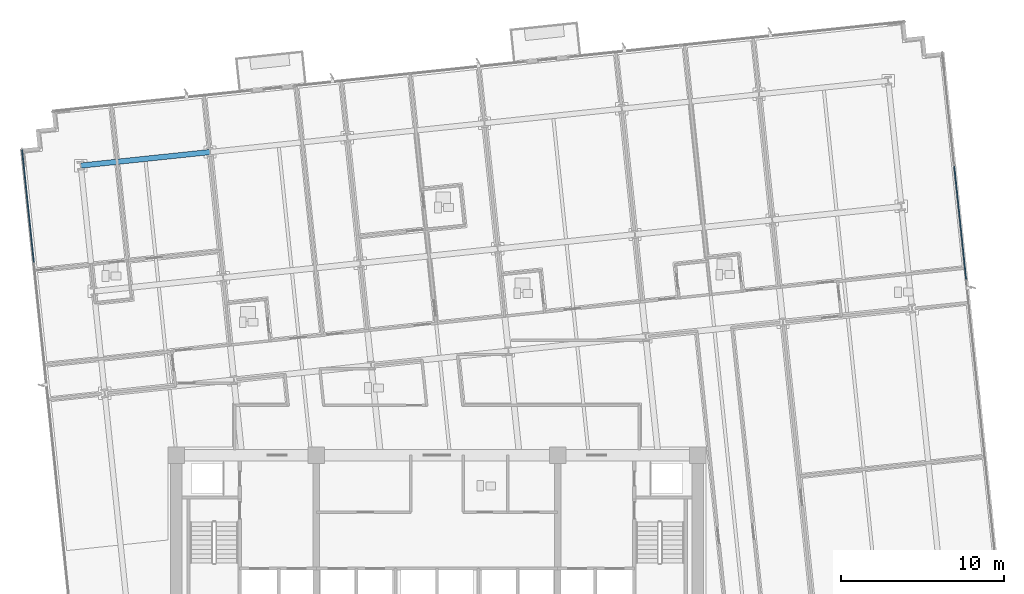
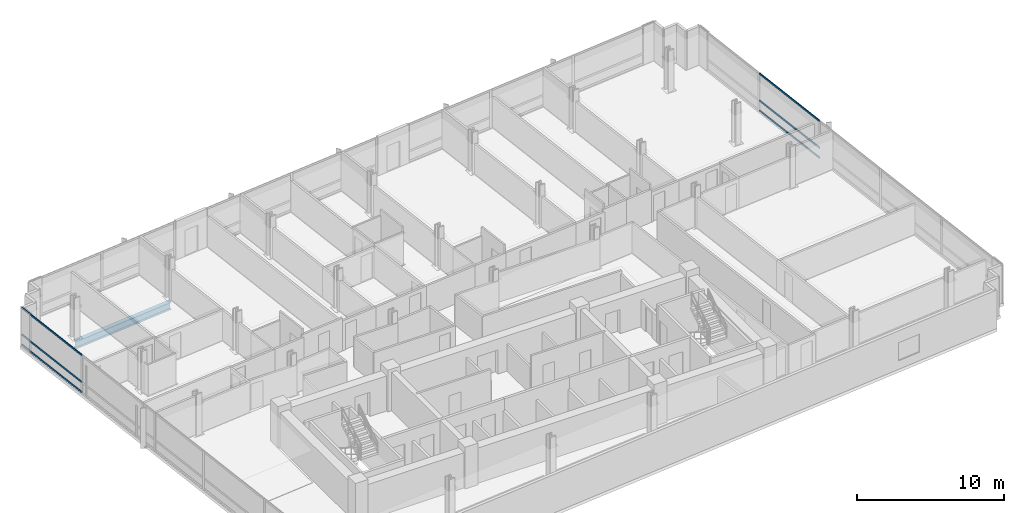
# One storey, part 6 of 20: 6 members, 1 beam, 2 elements without a shape of their own.
"""IFC4 building model written with IfcOpenShell, lengths in metres."""

from ifc_helpers import new_model, si_unit, direction, frame, origin, origin_2d, place, context, subcontext, project, spatial, rectangle, i_section, extrude, material, material_profile, profile_set, type_object, element, aggregate, save


model = new_model("IFC4")

# Units and contexts
model_context = context("Model", 3, precision=1e-05, world=origin(), true_north=direction((0.0, 1.0)))
body_context = subcontext(model_context, "Body", "Model", "MODEL_VIEW")
ifc_project = project(units=[si_unit("LENGTHUNIT", "METRE"), si_unit("AREAUNIT", "SQUARE_METRE"), si_unit("VOLUMEUNIT", "CUBIC_METRE"), si_unit("PLANEANGLEUNIT", "RADIAN"), si_unit("MASSUNIT", "GRAM", prefix="KILO")], contexts=[model_context])

# Site, building, storey
site_placement = place(None, origin())
site = spatial("IfcSite", under=ifc_project, at=site_placement, CompositionType="ELEMENT")
building_placement = place(site_placement, origin())
building = spatial("IfcBuilding", under=site, at=building_placement, Name="Solmavex Isthmus Hotel", CompositionType="ELEMENT")
storey_placement = place(building_placement, frame((0.0, 0.0, 87.0)))
storey = spatial("IfcBuildingStorey", under=building, at=storey_placement, Name="L23", CompositionType="ELEMENT", Elevation=87.0)

# Beam
ifc_material_1 = material(Name="Steel ASTM A992 Grade 50", Category="steel")
ifc_material_profile_1 = material_profile(ifc_material_1, i_section(OverallWidth=0.326416015625, OverallDepth=0.621826171875, WebThickness=0.015380859375, FlangeThickness=0.0244140625, FilletRadius=0.01513671875, at=origin_2d()), Name="W24X131")
ifc_profile_set_1 = profile_set([ifc_material_profile_1], Name="Steel ASTM A992 Grade 50")
beam_type = type_object("IfcBeamType", Name="BM-SP-W24X131", PredefinedType="SPANDREL", material=ifc_profile_set_1)
beam_placement = place(storey_placement, frame((-21.851806640625, 15.2587890625, -0.57080078125), z_axis=(0.994523402738, 0.104514120609, 0.0), x_axis=(-0.104514120609, 0.994523402738, 0.0)))
element("IfcBeam", 1, at=beam_placement, inside=storey, type_object=beam_type, Name="Floor Girder L23-UG19", PredefinedType="SPANDREL", context=body_context, shape_type="SweptSolid", body=[
    extrude(i_section(OverallWidth=0.326416015625, OverallDepth=0.621826171875, WebThickness=0.015380859375, FlangeThickness=0.0244140625, FilletRadius=0.01513671875, at=origin_2d()), origin(), (0.0, 0.0, 1.0), 7.968017578125),
])

# Curtain wall, members
ifc_material_2 = material(Name="Aluminium alloy 6063-T6", Category="aluminium")
curtain_wall_type = type_object("IfcCurtainWallType", Name="CW-SYS-03", PredefinedType="NOTDEFINED", material=ifc_material_2)
curtain_wall_1_placement = place(storey_placement, origin())
curtain_wall_1 = element("IfcCurtainWall", 2, at=curtain_wall_1_placement, inside=storey, type_object=curtain_wall_type, Name="Stick Curtain Wall CWL-L23-W1", PredefinedType="NOTDEFINED")
ifc_material_profile_2 = material_profile(ifc_material_2, rectangle(XDim=0.070068359375, YDim=0.139892578125, at=origin_2d()), Name="CWT-70X140")
ifc_profile_set_2 = profile_set([ifc_material_profile_2], Name="Aluminium alloy 6063-T6")
member_type = type_object("IfcMemberType", Name="CW-SYS-03-TRN", PredefinedType="USERDEFINED", material=ifc_profile_set_2)
member_1_placement = place(storey_placement, frame((-24.728759765625, 9.340576171875, 0.070068359375), z_axis=(-0.104539595565, 0.994520725254, 0.0), x_axis=(-0.994520725254, -0.104539595565, 0.0)))
member_1 = element("IfcMember", 3, at=member_1_placement, type_object=member_type, Name="CW-03 transom 5.1", ObjectType="TRANSOM", PredefinedType="USERDEFINED", context=body_context, shape_type="SweptSolid", body=[
    extrude(rectangle(XDim=0.070068359375, YDim=0.139892578125, at=origin_2d()), origin(), (0.0, 0.0, 1.0), 6.9150390625),
])
member_2_placement = place(storey_placement, frame((-24.728759765625, 9.340576171875, 0.89990234375), z_axis=(-0.104539595565, 0.994520725254, 0.0), x_axis=(-0.994520725254, -0.104539595565, 0.0)))
member_2 = element("IfcMember", 4, at=member_2_placement, type_object=member_type, Name="CW-03 transom 5.2", ObjectType="TRANSOM", PredefinedType="USERDEFINED", context=body_context, shape_type="SweptSolid", body=[
    extrude(rectangle(XDim=0.070068359375, YDim=0.139892578125, at=origin_2d()), origin(), (0.0, 0.0, 1.0), 6.9150390625),
])
member_3_placement = place(storey_placement, frame((-24.728759765625, 9.340576171875, 3.1201171875), z_axis=(-0.104539595565, 0.994520725254, 0.0), x_axis=(-0.994520725254, -0.104539595565, 0.0)))
member_3 = element("IfcMember", 5, at=member_3_placement, type_object=member_type, Name="CW-03 transom 5.3", ObjectType="TRANSOM", PredefinedType="USERDEFINED", context=body_context, shape_type="SweptSolid", body=[
    extrude(rectangle(XDim=0.070068359375, YDim=0.139892578125, at=origin_2d()), origin(), (0.0, 0.0, 1.0), 6.9150390625),
])
aggregate(curtain_wall_1, [member_1, member_2, member_3])

curtain_wall_2_placement = place(storey_placement, origin())
curtain_wall_2 = element("IfcCurtainWall", 6, at=curtain_wall_2_placement, inside=storey, type_object=curtain_wall_type, Name="Stick Curtain Wall CWL-L23-E1", PredefinedType="NOTDEFINED")
member_4_placement = place(storey_placement, frame((32.4541015625, 8.2919921875, 0.070068359375), z_axis=(-0.104538500317, 0.994520840381, 0.0), x_axis=(-0.994520840381, -0.104538500317, 0.0)))
member_4 = element("IfcMember", 7, at=member_4_placement, type_object=member_type, Name="CW-03 transom 4.1", ObjectType="TRANSOM", PredefinedType="USERDEFINED", context=body_context, shape_type="SweptSolid", body=[
    extrude(rectangle(XDim=0.070068359375, YDim=0.139892578125, at=origin_2d()), origin(), (0.0, 0.0, 1.0), 6.9501953125),
])
member_5_placement = place(storey_placement, frame((32.4541015625, 8.2919921875, 0.89990234375), z_axis=(-0.104538500317, 0.994520840381, 0.0), x_axis=(-0.994520840381, -0.104538500317, 0.0)))
member_5 = element("IfcMember", 8, at=member_5_placement, type_object=member_type, Name="CW-03 transom 4.2", ObjectType="TRANSOM", PredefinedType="USERDEFINED", context=body_context, shape_type="SweptSolid", body=[
    extrude(rectangle(XDim=0.070068359375, YDim=0.139892578125, at=origin_2d()), origin(), (0.0, 0.0, 1.0), 6.9501953125),
])
member_6_placement = place(storey_placement, frame((32.4541015625, 8.2919921875, 3.1201171875), z_axis=(-0.104538500317, 0.994520840381, 0.0), x_axis=(-0.994520840381, -0.104538500317, 0.0)))
member_6 = element("IfcMember", 9, at=member_6_placement, type_object=member_type, Name="CW-03 transom 4.3", ObjectType="TRANSOM", PredefinedType="USERDEFINED", context=body_context, shape_type="SweptSolid", body=[
    extrude(rectangle(XDim=0.070068359375, YDim=0.139892578125, at=origin_2d()), origin(), (0.0, 0.0, 1.0), 6.9501953125),
])
aggregate(curtain_wall_2, [member_4, member_5, member_6])

save(model, "model.ifc")
